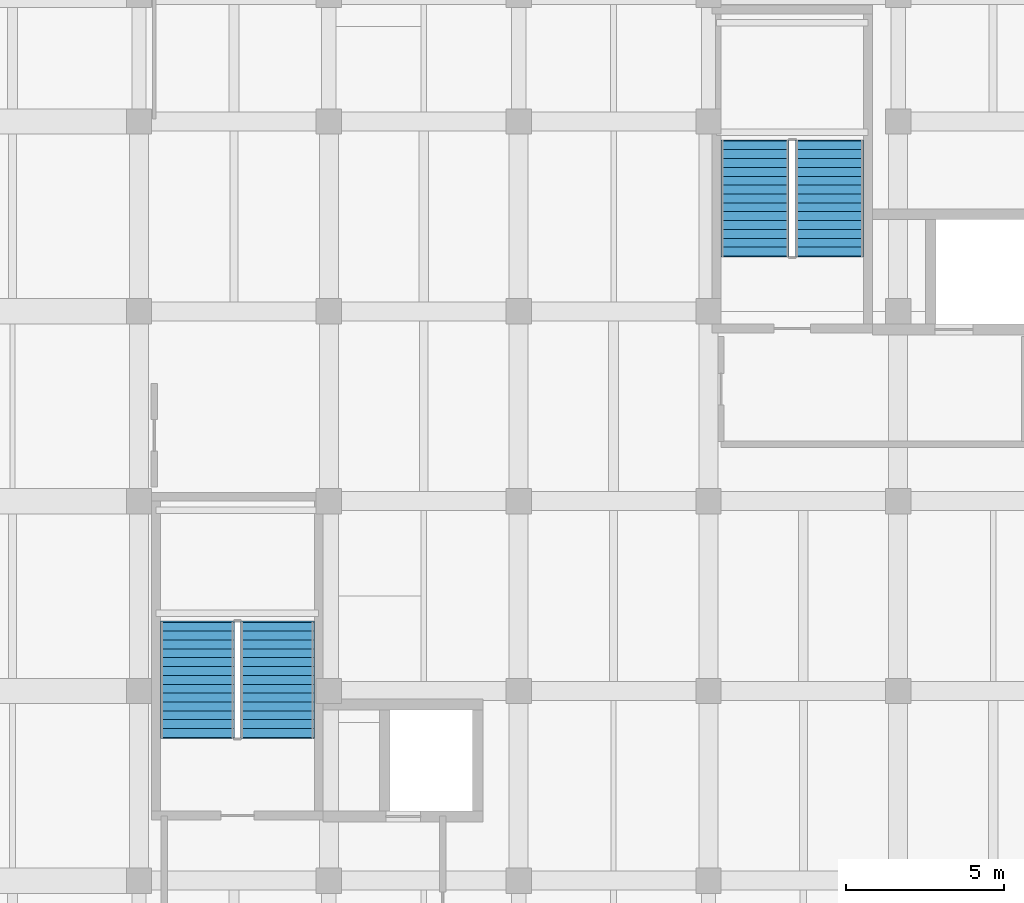
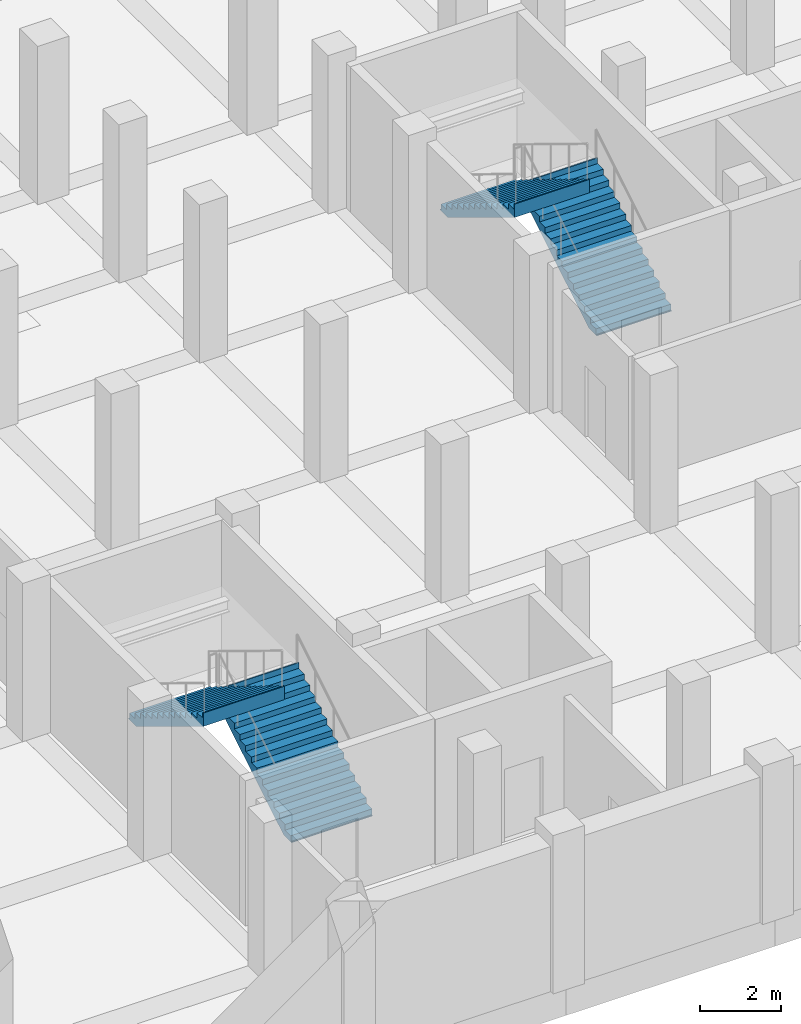
# One storey, part 27 of 36: 4 stair flights, 2 elements without a shape of their own.
"""IFC4 building model written with IfcOpenShell, lengths in metres."""

from ifc_helpers import new_model, si_unit, direction, frame, origin, place, context, subcontext, project, spatial, polyline, outline, extrude, material, type_object, element, aggregate, save


model = new_model("IFC4")

# Units and contexts
model_context = context("Model", 3, precision=1e-05, world=origin(), true_north=direction((0.0, 1.0)))
body_context = subcontext(model_context, "Body", "Model", "MODEL_VIEW")
ifc_project = project(units=[si_unit("LENGTHUNIT", "METRE"), si_unit("AREAUNIT", "SQUARE_METRE"), si_unit("VOLUMEUNIT", "CUBIC_METRE"), si_unit("PLANEANGLEUNIT", "RADIAN"), si_unit("MASSUNIT", "GRAM", prefix="KILO")], contexts=[model_context])

# Site, building, storey
site_placement = place(None, origin())
site = spatial("IfcSite", under=ifc_project, at=site_placement, CompositionType="ELEMENT")
building_placement = place(site_placement, origin())
building = spatial("IfcBuilding", under=site, at=building_placement, Name="Verrall Gate Interchange", CompositionType="ELEMENT")
storey_placement = place(building_placement, frame((0.0, 0.0, -4.800048828125)))
storey = spatial("IfcBuildingStorey", under=building, at=storey_placement, Name="B1", CompositionType="ELEMENT", Elevation=-4.800048828125)

# Stair, stair flights
ifc_material_1 = material(Name="Concrete CSA A23.1 40 MPa (Class N)", Category="concrete")
stair_type_1 = type_object("IfcStairType", Name="ST-T08 Straight-Flight Return Exit Stair W2150 H4800", PredefinedType="STRAIGHT_RUN_STAIR", material=ifc_material_1)
stair_1_placement = place(storey_placement, origin())
stair_1 = element("IfcStair", 1, at=stair_1_placement, inside=storey, type_object=stair_type_1, Name="B1 ST-09", PredefinedType="STRAIGHT_RUN_STAIR")
ifc_material_2 = material(Name="Concrete CSA A23.1 40 MPa (Class N)", Category="concrete")
stair_flight_type_1 = type_object("IfcStairFlightType", Name="SF-T08 Concrete Stair Flight W2150 R171 N28", PredefinedType="STRAIGHT", material=ifc_material_2)
stair_flight_1_placement = place(storey_placement, frame((153.824951171875, 35.75, 0.0), z_axis=(0.0, 0.0, 1.0), x_axis=(0.0, 1.0, 0.0)))
stair_flight_1 = element("IfcStairFlight", 2, at=stair_flight_1_placement, type_object=stair_flight_type_1, Name="ST-09 flight 1", NumberOfRisers=14, NumberOfTreads=13, PredefinedType="STRAIGHT", RiserHeight=0.171428571, TreadLength=0.28, context=body_context, shape_type="SweptSolid", body=[
    extrude(outline(polyline([(-0.034912109375, -0.02001953125), (-0.034912109375, 0.0), (0.0, 0.0), (0.0, 0.17138671875), (0.280029296875, 0.17138671875), (0.280029296875, 0.3427734375), (0.56005859375, 0.3427734375), (0.56005859375, 0.514404296875), (0.840087890625, 0.514404296875), (0.840087890625, 0.685791015625), (1.1201171875, 0.685791015625), (1.1201171875, 0.857177734375), (1.39990234375, 0.857177734375), (1.39990234375, 1.028564453125), (1.679931640625, 1.028564453125), (1.679931640625, 1.199951171875), (1.9599609375, 1.199951171875), (1.9599609375, 1.371337890625), (2.239990234375, 1.371337890625), (2.239990234375, 1.54296875), (2.52001953125, 1.54296875), (2.52001953125, 1.71435546875), (2.800048828125, 1.71435546875), (2.800048828125, 1.8857421875), (3.080078125, 1.8857421875), (3.080078125, 2.05712890625), (3.360107421875, 2.05712890625), (3.360107421875, 2.228515625), (3.639892578125, 2.228515625), (3.639892578125, 2.39990234375), (3.675048828125, 2.39990234375), (3.675048828125, 1.994140625), (0.350341796875, -0.02001953125), (-0.034912109375, -0.02001953125)])), frame((0.0, 1.074951171875, 0.0), z_axis=(0.0, -1.0, 0.0), x_axis=(1.0, 0.0, 0.0)), (0.0, 0.0, 1.0), 2.14990234375),
])
stair_flight_2_placement = place(storey_placement, frame((151.47509765625, 39.389892578125, 2.400146484375), z_axis=(0.0, 0.0, 1.0), x_axis=(0.0, -1.0, 0.0)))
stair_flight_2 = element("IfcStairFlight", 3, at=stair_flight_2_placement, type_object=stair_flight_type_1, Name="ST-09 flight 2", NumberOfRisers=14, NumberOfTreads=13, PredefinedType="STRAIGHT", RiserHeight=0.171428571, TreadLength=0.28, context=body_context, shape_type="SweptSolid", body=[
    extrude(outline(polyline([(-0.034912109375, -0.02001953125), (-0.034912109375, 0.0), (0.0, 0.0), (0.0, 0.17138671875), (0.280029296875, 0.17138671875), (0.280029296875, 0.3427734375), (0.56005859375, 0.3427734375), (0.56005859375, 0.514404296875), (0.840087890625, 0.514404296875), (0.840087890625, 0.685791015625), (1.1201171875, 0.685791015625), (1.1201171875, 0.857177734375), (1.39990234375, 0.857177734375), (1.39990234375, 1.028564453125), (1.679931640625, 1.028564453125), (1.679931640625, 1.199951171875), (1.9599609375, 1.199951171875), (1.9599609375, 1.371337890625), (2.239990234375, 1.371337890625), (2.239990234375, 1.54296875), (2.52001953125, 1.54296875), (2.52001953125, 1.71435546875), (2.800048828125, 1.71435546875), (2.800048828125, 1.8857421875), (3.080078125, 1.8857421875), (3.080078125, 2.05712890625), (3.360107421875, 2.05712890625), (3.360107421875, 2.228515625), (3.639892578125, 2.228515625), (3.639892578125, 2.39990234375), (3.675048828125, 2.39990234375), (3.675048828125, 1.994140625), (0.350341796875, -0.02001953125), (-0.034912109375, -0.02001953125)])), frame((0.0, 1.074951171875, 0.0), z_axis=(0.0, -1.0, 0.0), x_axis=(1.0, 0.0, 0.0)), (0.0, 0.0, 1.0), 2.14990234375),
])
aggregate(stair_1, [stair_flight_1, stair_flight_2])

ifc_material_3 = material(Name="Concrete CSA A23.1 40 MPa (Class N)", Category="concrete")
stair_type_2 = type_object("IfcStairType", Name="ST-T15 Straight-Flight Return Exit Stair W2330 H4800", PredefinedType="STRAIGHT_RUN_STAIR", material=ifc_material_3)
stair_2_placement = place(storey_placement, origin())
stair_2 = element("IfcStair", 4, at=stair_2_placement, inside=storey, type_object=stair_type_2, Name="B1 ST-08", PredefinedType="STRAIGHT_RUN_STAIR")
ifc_material_4 = material(Name="Concrete CSA A23.1 40 MPa (Class N)", Category="concrete")
stair_flight_type_2 = type_object("IfcStairFlightType", Name="SF-T15 Concrete Stair Flight W2330 R171 N28", PredefinedType="STRAIGHT", material=ifc_material_4)
stair_flight_3_placement = place(storey_placement, frame((136.375, 20.530029296875, 0.0), z_axis=(0.0, 0.0, 1.0), x_axis=(0.0, 1.0, 0.0)))
stair_flight_3 = element("IfcStairFlight", 5, at=stair_flight_3_placement, type_object=stair_flight_type_2, Name="ST-08 flight 1", NumberOfRisers=14, NumberOfTreads=13, PredefinedType="STRAIGHT", RiserHeight=0.171428571, TreadLength=0.28, context=body_context, shape_type="SweptSolid", body=[
    extrude(outline(polyline([(-0.034912109375, -0.02001953125), (-0.034912109375, 0.0), (0.0, 0.0), (0.0, 0.17138671875), (0.280029296875, 0.17138671875), (0.280029296875, 0.3427734375), (0.56005859375, 0.3427734375), (0.56005859375, 0.514404296875), (0.840087890625, 0.514404296875), (0.840087890625, 0.685791015625), (1.1201171875, 0.685791015625), (1.1201171875, 0.857177734375), (1.39990234375, 0.857177734375), (1.39990234375, 1.028564453125), (1.679931640625, 1.028564453125), (1.679931640625, 1.199951171875), (1.9599609375, 1.199951171875), (1.9599609375, 1.371337890625), (2.239990234375, 1.371337890625), (2.239990234375, 1.54296875), (2.52001953125, 1.54296875), (2.52001953125, 1.71435546875), (2.800048828125, 1.71435546875), (2.800048828125, 1.8857421875), (3.080078125, 1.8857421875), (3.080078125, 2.05712890625), (3.360107421875, 2.05712890625), (3.360107421875, 2.228515625), (3.639892578125, 2.228515625), (3.639892578125, 2.39990234375), (3.675048828125, 2.39990234375), (3.675048828125, 1.994140625), (0.350341796875, -0.02001953125), (-0.034912109375, -0.02001953125)])), frame((0.0, 1.1650390625, 0.0), z_axis=(0.0, -1.0, 0.0), x_axis=(1.0, 0.0, 0.0)), (0.0, 0.0, 1.0), 2.330078125),
])
stair_flight_4_placement = place(storey_placement, frame((133.844970703125, 24.169921875, 2.400146484375), z_axis=(0.0, 0.0, 1.0), x_axis=(0.0, -1.0, 0.0)))
stair_flight_4 = element("IfcStairFlight", 6, at=stair_flight_4_placement, type_object=stair_flight_type_2, Name="ST-08 flight 2", NumberOfRisers=14, NumberOfTreads=13, PredefinedType="STRAIGHT", RiserHeight=0.171428571, TreadLength=0.28, context=body_context, shape_type="SweptSolid", body=[
    extrude(outline(polyline([(-0.034912109375, -0.02001953125), (-0.034912109375, 0.0), (0.0, 0.0), (0.0, 0.17138671875), (0.280029296875, 0.17138671875), (0.280029296875, 0.3427734375), (0.56005859375, 0.3427734375), (0.56005859375, 0.514404296875), (0.840087890625, 0.514404296875), (0.840087890625, 0.685791015625), (1.1201171875, 0.685791015625), (1.1201171875, 0.857177734375), (1.39990234375, 0.857177734375), (1.39990234375, 1.028564453125), (1.679931640625, 1.028564453125), (1.679931640625, 1.199951171875), (1.9599609375, 1.199951171875), (1.9599609375, 1.371337890625), (2.239990234375, 1.371337890625), (2.239990234375, 1.54296875), (2.52001953125, 1.54296875), (2.52001953125, 1.71435546875), (2.800048828125, 1.71435546875), (2.800048828125, 1.8857421875), (3.080078125, 1.8857421875), (3.080078125, 2.05712890625), (3.360107421875, 2.05712890625), (3.360107421875, 2.228515625), (3.639892578125, 2.228515625), (3.639892578125, 2.39990234375), (3.675048828125, 2.39990234375), (3.675048828125, 1.994140625), (0.350341796875, -0.02001953125), (-0.034912109375, -0.02001953125)])), frame((0.0, 1.1650390625, 0.0), z_axis=(0.0, -1.0, 0.0), x_axis=(1.0, 0.0, 0.0)), (0.0, 0.0, 1.0), 2.330078125),
])
aggregate(stair_2, [stair_flight_3, stair_flight_4])

save(model, "model.ifc")
